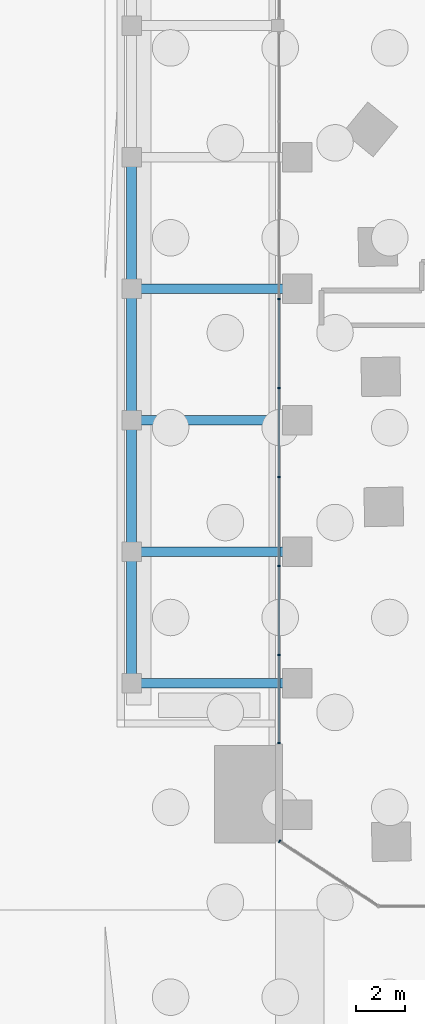
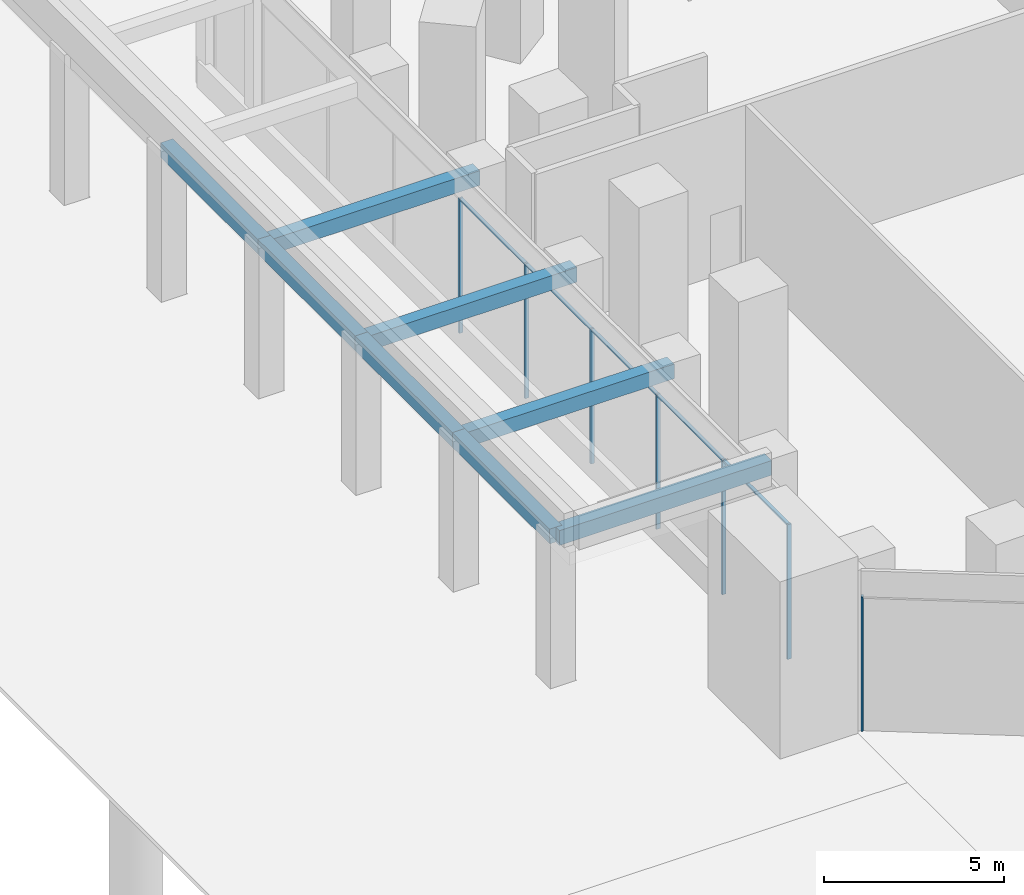
# One storey, part 21 of 46: 12 members, 8 beams, 2 elements without a shape of their own.
"""IFC4 building model written with IfcOpenShell, lengths in metres."""

from ifc_helpers import new_model, si_unit, direction, frame, origin, origin_2d, place, context, subcontext, project, spatial, rectangle, extrude, material, material_profile, profile_set, type_object, element, aggregate, save


model = new_model("IFC4")

# Units and contexts
model_context = context("Model", 3, precision=1e-05, world=origin(), true_north=direction((0.0, 1.0)))
body_context = subcontext(model_context, "Body", "Model", "MODEL_VIEW")
ifc_project = project(units=[si_unit("LENGTHUNIT", "METRE"), si_unit("AREAUNIT", "SQUARE_METRE"), si_unit("VOLUMEUNIT", "CUBIC_METRE"), si_unit("PLANEANGLEUNIT", "RADIAN"), si_unit("MASSUNIT", "GRAM", prefix="KILO")], contexts=[model_context])

# Site, building, storey
site_placement = place(None, origin())
site = spatial("IfcSite", under=ifc_project, at=site_placement, CompositionType="ELEMENT")
building_placement = place(site_placement, origin())
building = spatial("IfcBuilding", under=site, at=building_placement, Name="Mangrove Gate Tower", CompositionType="ELEMENT")
storey_placement = place(building_placement, origin())
storey = spatial("IfcBuildingStorey", under=building, at=storey_placement, Name="L00", CompositionType="ELEMENT", Elevation=0.0)

# Beams
ifc_material_1 = material(Name="Concrete C70/85", Category="concrete")
ifc_material_profile_1 = material_profile(ifc_material_1, rectangle(XDim=0.39990234375, YDim=0.5, at=origin_2d()))
ifc_profile_set_1 = profile_set([ifc_material_profile_1], Name="Concrete C70/85")
beam_type = type_object("IfcBeamType", Name="Canopy beam RC 400x500 C70/85", PredefinedType="BEAM", material=ifc_profile_set_1)
beam_1_placement = place(storey_placement, frame((-42.10009765625, -2.699951171875, 4.830078125), z_axis=(0.0, 1.0, 0.0), x_axis=(-1.0, 0.0, 0.0)))
element("IfcBeam", 1, at=beam_1_placement, inside=storey, type_object=beam_type, Name="Canopy beam L00 CEW00", PredefinedType="BEAM", context=body_context, shape_type="SweptSolid", body=[
    extrude(rectangle(XDim=0.39990234375, YDim=0.5, at=origin_2d()), origin(), (0.0, 0.0, 1.0), 5.39990234375),
])
beam_2_placement = place(storey_placement, frame((-42.10009765625, 2.699951171875, 4.830078125), z_axis=(0.0, 1.0, 0.0), x_axis=(-1.0, 0.0, 0.0)))
element("IfcBeam", 2, at=beam_2_placement, inside=storey, type_object=beam_type, Name="Canopy beam L00 CEW01", PredefinedType="BEAM", context=body_context, shape_type="SweptSolid", body=[
    extrude(rectangle(XDim=0.39990234375, YDim=0.5, at=origin_2d()), origin(), (0.0, 0.0, 1.0), 5.400146484375),
])
for number, where, z_axis, x_axis, name in (
    (3, (-42.10009765625, 8.10009765625, 4.830078125), (0.0, 1.0, 0.0), (-1.0, 0.0, 0.0), "Canopy beam L00 CEW02"),
    (4, (-42.10009765625, 13.5, 4.830078125), (0.0, 1.0, 0.0), (-1.0, 0.0, 0.0), "Canopy beam L00 CEW03"),
):
    element("IfcBeam", number, at=place(storey_placement, frame(where, z_axis=z_axis, x_axis=x_axis)), inside=storey, type_object=beam_type, Name=name, PredefinedType="BEAM", context=body_context, shape_type="SweptSolid", body=[
        extrude(rectangle(XDim=0.39990234375, YDim=0.5, at=origin_2d()), origin(), (0.0, 0.0, 1.0), 5.39990234375),
    ])
for number, where, z_axis, x_axis, name in (
    (5, (-35.300048828125, -2.699951171875, 4.830078125), (-1.0, 0.0, 0.0), (0.0, -1.0, 0.0), "Canopy beam L00 CBW00"),
    (6, (-35.300048828125, 2.699951171875, 4.830078125), (-1.0, 0.0, 0.0), (0.0, -1.0, 0.0), "Canopy beam L00 CBW01"),
    (7, (-35.300048828125, 8.10009765625, 4.830078125), (-1.0, 0.0, 0.0), (0.0, -1.0, 0.0), "Canopy beam L00 CBW02"),
    (8, (-35.300048828125, 13.5, 4.830078125), (-1.0, 0.0, 0.0), (0.0, -1.0, 0.0), "Canopy beam L00 CBW03"),
):
    element("IfcBeam", number, at=place(storey_placement, frame(where, z_axis=z_axis, x_axis=x_axis)), inside=storey, type_object=beam_type, Name=name, PredefinedType="BEAM", context=body_context, shape_type="SweptSolid", body=[
        extrude(rectangle(XDim=0.39990234375, YDim=0.5, at=origin_2d()), origin(), (0.0, 0.0, 1.0), 6.800048828125),
    ])

# Curtain wall, member
ifc_material_2 = material(Name="Aluminium and glass curtain wall", Category="aluminium")
curtain_wall_type = type_object("IfcCurtainWallType", Name="Podium shopfront glazing wall", PredefinedType="NOTDEFINED", material=ifc_material_2)
curtain_wall_1_placement = place(storey_placement, origin())
curtain_wall_1 = element("IfcCurtainWall", 9, at=curtain_wall_1_placement, inside=storey, type_object=curtain_wall_type, Name="Podium shopfront glazing S6s1", PredefinedType="NOTDEFINED")
ifc_material_3 = material(Name="Aluminium alloy 6063-T6", Category="aluminium")
ifc_material_profile_2 = material_profile(ifc_material_3, rectangle(XDim=0.06005859375, YDim=0.1201171875, at=origin_2d()))
ifc_profile_set_2 = profile_set([ifc_material_profile_2], Name="Aluminium alloy 6063-T6")
member_type_1 = type_object("IfcMemberType", Name="Podium shopfront glazing mullion 60x120", PredefinedType="MULLION", material=ifc_profile_set_2)
member_1_placement = place(storey_placement, frame((-36.02490234375, -9.185302734375, 0.0), z_axis=(0.0, 0.0, 1.0), x_axis=(0.836618528559, -0.54778594147, 0.0)))
member_1 = element("IfcMember", 10, at=member_1_placement, type_object=member_type_1, Name="CWS mullion 1", PredefinedType="MULLION", context=body_context, shape_type="SweptSolid", body=[
    extrude(rectangle(XDim=0.06005859375, YDim=0.1201171875, at=origin_2d()), origin(), (0.0, 0.0, 1.0), 4.570068359375),
])
aggregate(curtain_wall_1, [member_1])

# Curtain wall, members
curtain_wall_2_placement = place(storey_placement, origin())
curtain_wall_2 = element("IfcCurtainWall", 11, at=curtain_wall_2_placement, inside=storey, type_object=curtain_wall_type, Name="Podium shopfront glazing W14s2", PredefinedType="NOTDEFINED")
member_2_placement = place(storey_placement, frame((-36.050048828125, 13.068115234375, 0.0), z_axis=(0.0, 0.0, 1.0), x_axis=(0.0, -1.0, 0.0)))
member_2 = element("IfcMember", 12, at=member_2_placement, type_object=member_type_1, Name="CWS mullion 4", PredefinedType="MULLION", context=body_context, shape_type="SweptSolid", body=[
    extrude(rectangle(XDim=0.06005859375, YDim=0.1201171875, at=origin_2d()), origin(), (0.0, 0.0, 1.0), 4.570068359375),
])
member_3_placement = place(storey_placement, frame((-36.050048828125, 9.417724609375, 0.0), z_axis=(0.0, 0.0, 1.0), x_axis=(0.0, -1.0, 0.0)))
member_3 = element("IfcMember", 13, at=member_3_placement, type_object=member_type_1, Name="CWS mullion 5", PredefinedType="MULLION", context=body_context, shape_type="SweptSolid", body=[
    extrude(rectangle(XDim=0.06005859375, YDim=0.1201171875, at=origin_2d()), origin(), (0.0, 0.0, 1.0), 4.570068359375),
])
member_4_placement = place(storey_placement, frame((-36.050048828125, 5.76708984375, 0.0), z_axis=(0.0, 0.0, 1.0), x_axis=(0.0, -1.0, 0.0)))
member_4 = element("IfcMember", 14, at=member_4_placement, type_object=member_type_1, Name="CWS mullion 6", PredefinedType="MULLION", context=body_context, shape_type="SweptSolid", body=[
    extrude(rectangle(XDim=0.06005859375, YDim=0.1201171875, at=origin_2d()), origin(), (0.0, 0.0, 1.0), 4.570068359375),
])
member_5_placement = place(storey_placement, frame((-36.050048828125, 2.116455078125, 0.0), z_axis=(0.0, 0.0, 1.0), x_axis=(0.0, -1.0, 0.0)))
member_5 = element("IfcMember", 15, at=member_5_placement, type_object=member_type_1, Name="CWS mullion 7", PredefinedType="MULLION", context=body_context, shape_type="SweptSolid", body=[
    extrude(rectangle(XDim=0.06005859375, YDim=0.1201171875, at=origin_2d()), origin(), (0.0, 0.0, 1.0), 4.570068359375),
])
member_6_placement = place(storey_placement, frame((-36.050048828125, -1.5341796875, 0.0), z_axis=(0.0, 0.0, 1.0), x_axis=(0.0, -1.0, 0.0)))
member_6 = element("IfcMember", 16, at=member_6_placement, type_object=member_type_1, Name="CWS mullion 8", PredefinedType="MULLION", context=body_context, shape_type="SweptSolid", body=[
    extrude(rectangle(XDim=0.06005859375, YDim=0.1201171875, at=origin_2d()), origin(), (0.0, 0.0, 1.0), 4.570068359375),
])
member_7_placement = place(storey_placement, frame((-36.050048828125, -5.15478515625, 0.0), z_axis=(0.0, 0.0, 1.0), x_axis=(0.0, -1.0, 0.0)))
member_7 = element("IfcMember", 17, at=member_7_placement, type_object=member_type_1, Name="CWS mullion 9", PredefinedType="MULLION", context=body_context, shape_type="SweptSolid", body=[
    extrude(rectangle(XDim=0.06005859375, YDim=0.1201171875, at=origin_2d()), origin(), (0.0, 0.0, 1.0), 4.570068359375),
])
ifc_material_4 = material(Name="Aluminium alloy 6063-T6", Category="aluminium")
ifc_material_profile_3 = material_profile(ifc_material_4, rectangle(XDim=0.06005859375, YDim=0.10009765625, at=origin_2d()))
ifc_profile_set_3 = profile_set([ifc_material_profile_3], Name="Aluminium alloy 6063-T6")
member_type_2 = type_object("IfcMemberType", Name="Podium shopfront glazing transom 60x100", PredefinedType="USERDEFINED", material=ifc_profile_set_3)
member_8_placement = place(storey_placement, frame((-36.050048828125, 13.038330078125, 4.5400390625), z_axis=(0.0, -1.0, 0.0), x_axis=(0.0, 0.0, 1.0)))
member_8 = element("IfcMember", 18, at=member_8_placement, type_object=member_type_2, Name="CWS transom 4.2", ObjectType="TRANSOM", PredefinedType="USERDEFINED", context=body_context, shape_type="SweptSolid", body=[
    extrude(rectangle(XDim=0.06005859375, YDim=0.10009765625, at=origin_2d()), origin(), (0.0, 0.0, 1.0), 3.590576171875),
])
member_9_placement = place(storey_placement, frame((-36.050048828125, 9.3876953125, 4.5400390625), z_axis=(0.0, -1.0, 0.0), x_axis=(0.0, 0.0, 1.0)))
member_9 = element("IfcMember", 19, at=member_9_placement, type_object=member_type_2, Name="CWS transom 5.2", ObjectType="TRANSOM", PredefinedType="USERDEFINED", context=body_context, shape_type="SweptSolid", body=[
    extrude(rectangle(XDim=0.06005859375, YDim=0.10009765625, at=origin_2d()), origin(), (0.0, 0.0, 1.0), 3.590576171875),
])
member_10_placement = place(storey_placement, frame((-36.050048828125, 5.737060546875, 4.5400390625), z_axis=(0.0, -1.0, 0.0), x_axis=(0.0, 0.0, 1.0)))
member_10 = element("IfcMember", 20, at=member_10_placement, type_object=member_type_2, Name="CWS transom 6.2", ObjectType="TRANSOM", PredefinedType="USERDEFINED", context=body_context, shape_type="SweptSolid", body=[
    extrude(rectangle(XDim=0.06005859375, YDim=0.10009765625, at=origin_2d()), origin(), (0.0, 0.0, 1.0), 3.590576171875),
])
member_11_placement = place(storey_placement, frame((-36.050048828125, 2.08642578125, 4.5400390625), z_axis=(0.0, -1.0, 0.0), x_axis=(0.0, 0.0, 1.0)))
member_11 = element("IfcMember", 21, at=member_11_placement, type_object=member_type_2, Name="CWS transom 7.2", ObjectType="TRANSOM", PredefinedType="USERDEFINED", context=body_context, shape_type="SweptSolid", body=[
    extrude(rectangle(XDim=0.06005859375, YDim=0.10009765625, at=origin_2d()), origin(), (0.0, 0.0, 1.0), 3.590576171875),
])
member_12_placement = place(storey_placement, frame((-36.050048828125, -1.564208984375, 4.5400390625), z_axis=(0.0, -1.0, 0.0), x_axis=(0.0, 0.0, 1.0)))
member_12 = element("IfcMember", 22, at=member_12_placement, type_object=member_type_2, Name="CWS transom 8.2", ObjectType="TRANSOM", PredefinedType="USERDEFINED", context=body_context, shape_type="SweptSolid", body=[
    extrude(rectangle(XDim=0.06005859375, YDim=0.10009765625, at=origin_2d()), origin(), (0.0, 0.0, 1.0), 3.560546875),
])
aggregate(curtain_wall_2, [member_2, member_3, member_4, member_5, member_6, member_7, member_8, member_9, member_10, member_11, member_12])

save(model, "model.ifc")
